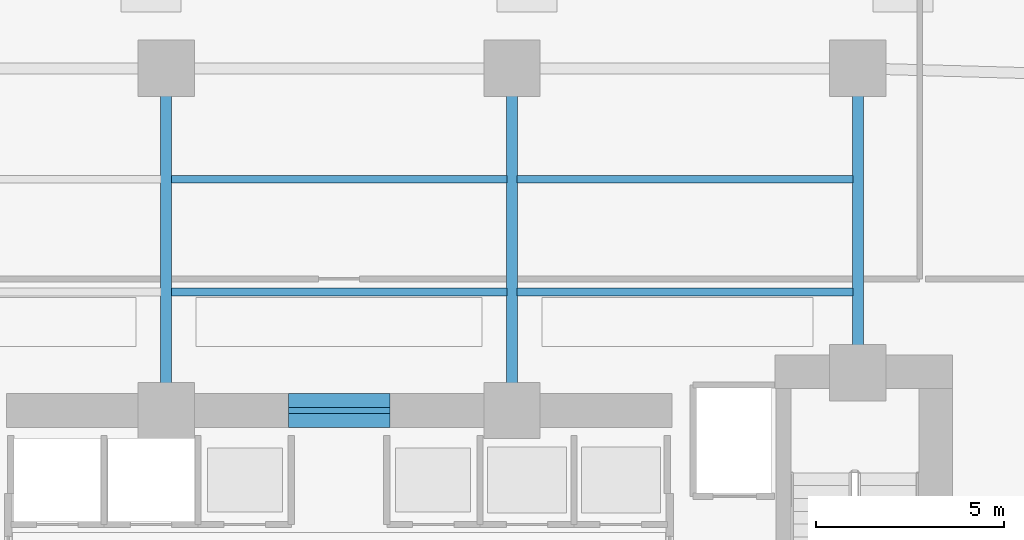
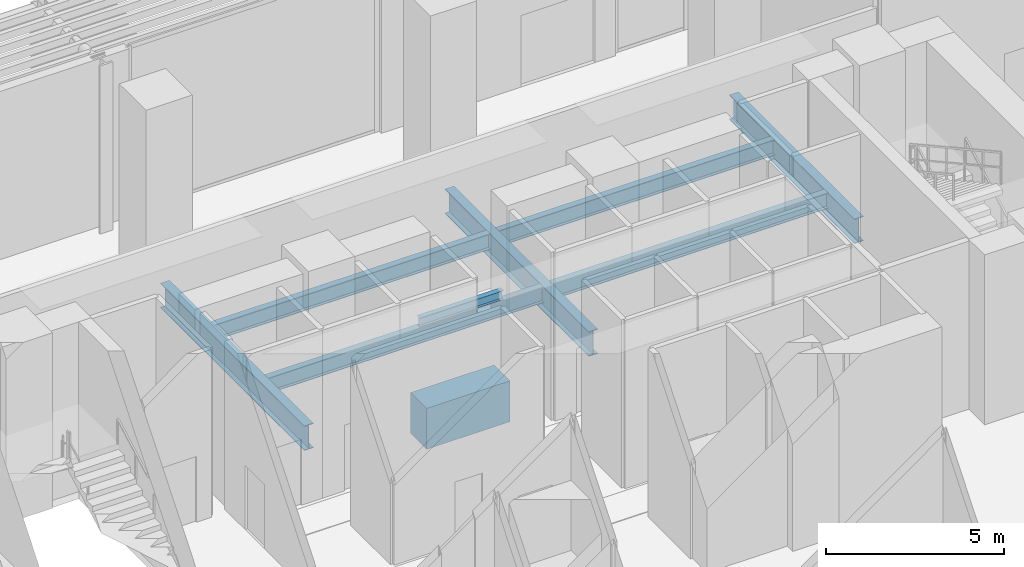
# One storey, part 17 of 39: 9 beams.
"""IFC4 building model written with IfcOpenShell, lengths in metres."""

import ifcopenshell
import ifcopenshell.guid

model = None  # the IFC model being written
_history = None  # IfcOwnerHistory: only IFC2X3 demands one
_inside = {}  # id of a spatial element -> (the spatial element, [elements in it])
_under = {}  # id of a project, library or spatial element -> (it, [spatial elements below it])
_declared = {}  # id of a project -> (the project, [libraries it declares])
_typed = {}  # id of a type object -> (the type object, [elements of that type])
_made_of = {}  # id of a material, layer set ... -> (it, [elements and type objects made of it])


def new_model(schema):
    """Start an empty IFC model of exactly this schema.

    Asked for "IFC4X3", IfcOpenShell would pick the latest addendum, in which some entities
    have other attributes; the version numbers below select the first issue.
    IFC2X3 requires an IfcOwnerHistory on every rooted entity: one is made here for all.
    """
    global model, _history
    if schema == "IFC4X3":
        model = ifcopenshell.file(schema_version=(4, 3, 0, 0))
    else:
        model = ifcopenshell.file(schema=schema)
    _inside.clear()
    _under.clear()
    _declared.clear()
    _typed.clear()
    _made_of.clear()
    _history = None
    if model.schema == "IFC2X3":
        org = make("IfcOrganization", Name="unknown")
        user = make(
            "IfcPersonAndOrganization",
            ThePerson=make("IfcPerson", FamilyName="unknown"),
            TheOrganization=org,
        )
        app = make(
            "IfcApplication",
            ApplicationDeveloper=org,
            Version="unknown",
            ApplicationFullName="unknown",
            ApplicationIdentifier="unknown",
        )
        _history = make(
            "IfcOwnerHistory",
            OwningUser=user,
            OwningApplication=app,
            ChangeAction="ADDED",
            CreationDate=0,
        )
    return model


def make(cls, **values):
    """One entity of the class cls with the attributes given. An attribute that is None is left unset."""
    return model.create_entity(
        cls, **{name: value for name, value in values.items() if value is not None}
    )


def rooted(cls, **values):
    """An entity with a GlobalId (a new one), such as an element, a storey or a relation."""
    return make(cls, GlobalId=ifcopenshell.guid.new(), OwnerHistory=_history, **values)


def si_unit(unit_type, name, prefix=None):
    """IfcSIUnit, for example si_unit("LENGTHUNIT", "METRE", prefix="MILLI")."""
    return make("IfcSIUnit", UnitType=unit_type, Prefix=prefix, Name=name)


def assignment(units):
    """IfcUnitAssignment: the units of a project."""
    return None if units is None else make("IfcUnitAssignment", Units=units)


def point(xyz):
    """IfcCartesianPoint."""
    return None if xyz is None else make("IfcCartesianPoint", Coordinates=xyz)


def direction(xyz):
    """IfcDirection."""
    return None if xyz is None else make("IfcDirection", DirectionRatios=xyz)


def frame(location, z_axis=None, x_axis=None):
    """IfcAxis2Placement3D, a coordinate frame: its origin and axes. An axis left out is left unset."""
    return make(
        "IfcAxis2Placement3D",
        Location=point(location),
        Axis=direction(z_axis),
        RefDirection=direction(x_axis),
    )


def frame_2d(location, x_axis=None):
    """IfcAxis2Placement2D, a coordinate frame in the plane: its origin and x axis."""
    return make(
        "IfcAxis2Placement2D", Location=point(location), RefDirection=direction(x_axis)
    )


def origin():
    """The frame at (0, 0, 0) with its axes left unset."""
    return frame((0.0, 0.0, 0.0))


def origin_2d():
    """The frame at (0, 0) in the plane with its x axis left unset."""
    return frame_2d((0.0, 0.0))


def place(relative_to, where):
    """IfcLocalPlacement: puts the frame where relative to a parent placement (None: the world)."""
    return make(
        "IfcLocalPlacement", PlacementRelTo=relative_to, RelativePlacement=where
    )


def context(
    kind, dimensions, precision=None, world=None, true_north=None, identifier=None
):
    """IfcGeometricRepresentationContext, for example the 3D "Model" context."""
    return make(
        "IfcGeometricRepresentationContext",
        ContextIdentifier=identifier,
        ContextType=kind,
        CoordinateSpaceDimension=dimensions,
        Precision=precision,
        WorldCoordinateSystem=world,
        TrueNorth=true_north,
    )


def subcontext(parent, identifier, kind, view, scale=None):
    """IfcGeometricRepresentationSubContext, for example "Body" below "Model"."""
    return make(
        "IfcGeometricRepresentationSubContext",
        ContextIdentifier=identifier,
        ContextType=kind,
        ParentContext=parent,
        TargetScale=scale,
        TargetView=view,
    )


def project(units=None, contexts=None):
    """IfcProject with its units and contexts."""
    return rooted(
        "IfcProject",
        Name="project",
        RepresentationContexts=contexts,
        UnitsInContext=assignment(units),
    )


def spatial(cls, under=None, at=None, **own):
    """A site, building, storey or space (cls), placed at a placement, below another one or the project."""
    s = rooted(cls, ObjectPlacement=at, **own)
    if under is not None:
        _under.setdefault(under.id(), (under, []))[1].append(s)
    return s


def profile(cls, at=None, kind="AREA", **sizes):
    """A parametric profile (cls). Its sizes go by their IFC names, for example OverallWidth=200.0."""
    return make(cls, ProfileType=kind, Position=at, **sizes)


def rectangle(**sizes):
    """IfcRectangleProfileDef."""
    return profile("IfcRectangleProfileDef", **sizes)


def i_section(**sizes):
    """IfcIShapeProfileDef."""
    return profile("IfcIShapeProfileDef", **sizes)


def extrude(swept, where, along, depth):
    """IfcExtrudedAreaSolid: the profile swept, set in the frame where, extruded along a direction by depth."""
    return make(
        "IfcExtrudedAreaSolid",
        SweptArea=swept,
        Position=where,
        ExtrudedDirection=direction(along),
        Depth=depth,
    )


def shape(context_of_items, identifier, shape_type, items):
    """IfcShapeRepresentation: the items that make up one representation, for example the "Body"."""
    return make(
        "IfcShapeRepresentation",
        ContextOfItems=context_of_items,
        RepresentationIdentifier=identifier,
        RepresentationType=shape_type,
        Items=items,
    )


def material(Name=None, Category=None):
    """IfcMaterial."""
    return make("IfcMaterial", Name=Name, Category=Category)


def material_profile(
    of_material, cross_section, Name=None, Category=None, Priority=None
):
    """IfcMaterialProfile: a cross section and its material."""
    return make(
        "IfcMaterialProfile",
        Name=Name,
        Material=of_material,
        Profile=cross_section,
        Priority=Priority,
        Category=Category,
    )


def profile_set(profiles, Name=None, composite=None):
    """IfcMaterialProfileSet."""
    return make(
        "IfcMaterialProfileSet",
        Name=Name,
        MaterialProfiles=profiles,
        CompositeProfile=composite,
    )


def made_of(thing, what):
    """Note that an element or type object is made of a material, layer set ...; save() writes the relation."""
    if what is not None:
        _made_of.setdefault(what.id(), (what, []))[1].append(thing)
    return thing


def type_object(cls, material=None, **own):
    """A type object (cls), such as IfcWallType, which elements share."""
    return made_of(rooted(cls, **own), material)


def element(
    cls,
    number,
    at=None,
    inside=None,
    cuts=None,
    type_object=None,
    material=None,
    context=None,
    identifier="Body",
    shape_type=None,
    held_by="IfcProductDefinitionShape",
    body=None,
    shapes=None,
    **own,
):
    """One element of the class cls, such as IfcWall. Its Tag is "e" and its number.

    at: its placement. inside: the storey or other place that contains it. cuts: it is an
    opening in that element (IfcRelVoidsElement). A single representation is given by context,
    identifier, shape_type and body (its items); several are given by shapes. held_by: the class
    of the entity that holds the representations. save() writes the other relations.
    """
    e = rooted(cls, Tag="e%d" % number, ObjectPlacement=at, **own)
    if body is not None:
        shapes = [shape(context, identifier, shape_type, body)]
    if shapes is not None:
        e.Representation = make(held_by, Representations=shapes)
    if inside is not None:
        _inside.setdefault(inside.id(), (inside, []))[1].append(e)
    if cuts is not None:
        rooted(
            "IfcRelVoidsElement", RelatingBuildingElement=cuts, RelatedOpeningElement=e
        )
    if type_object is not None:
        _typed.setdefault(type_object.id(), (type_object, []))[1].append(e)
    return made_of(e, material)


def aggregate(whole, parts):
    """IfcRelAggregates: a whole, such as a stair, and the parts it consists of."""
    return rooted("IfcRelAggregates", RelatingObject=whole, RelatedObjects=parts)


def save(model, path):
    """Write the relations noted so far, then the file.

    IfcRelAggregates (storeys below a building ...), IfcRelContainedInSpatialStructure (elements
    in a storey), IfcRelDefinesByType, IfcRelAssociatesMaterial and IfcRelDeclares: one each for
    every whole, place, type object, material and project.
    """
    for whole, parts in _under.values():
        aggregate(whole, parts)
    for where, things in _inside.values():
        rooted(
            "IfcRelContainedInSpatialStructure",
            RelatedElements=things,
            RelatingStructure=where,
        )
    for kind, things in _typed.values():
        rooted("IfcRelDefinesByType", RelatedObjects=things, RelatingType=kind)
    for what, things in _made_of.values():
        rooted("IfcRelAssociatesMaterial", RelatedObjects=things, RelatingMaterial=what)
    for by, libraries in _declared.values():
        rooted("IfcRelDeclares", RelatingContext=by, RelatedDefinitions=libraries)
    model.write(path)


model = new_model("IFC4")

# Units and contexts
model_context = context("Model", 3, precision=1e-05, world=origin(), true_north=direction((0.0, 1.0)))
body_context = subcontext(model_context, "Body", "Model", "MODEL_VIEW")
ifc_project = project(units=[si_unit("LENGTHUNIT", "METRE"), si_unit("AREAUNIT", "SQUARE_METRE"), si_unit("VOLUMEUNIT", "CUBIC_METRE"), si_unit("PLANEANGLEUNIT", "RADIAN"), si_unit("MASSUNIT", "GRAM", prefix="KILO")], contexts=[model_context])

# Site, building, storey
site_placement = place(None, origin())
site = spatial("IfcSite", under=ifc_project, at=site_placement, CompositionType="ELEMENT")
building_placement = place(site_placement, origin())
building = spatial("IfcBuilding", under=site, at=building_placement, Name="Zuhayl Quay Hotel", CompositionType="ELEMENT")
storey_placement = place(building_placement, origin())
storey = spatial("IfcBuildingStorey", under=building, at=storey_placement, Name="L00", CompositionType="ELEMENT", Elevation=0.0)

# Beams
ifc_material_1 = material(Name="Concrete C60/75", Category="concrete")
ifc_material_profile_1 = material_profile(ifc_material_1, rectangle(XDim=0.89990234375, YDim=1.39990234375, at=origin_2d()), Name="RC900X1400")
ifc_profile_set_1 = profile_set([ifc_material_profile_1], Name="Concrete C60/75")
beam_type_1 = type_object("IfcBeamType", Name="BM_CB1_RC900", PredefinedType="T_BEAM", material=ifc_profile_set_1)
beam_1_placement = place(storey_placement, frame((-1.35009765625, 13.35009765625, -0.9599609375), z_axis=(1.0, 0.0, 0.0), x_axis=(0.0, 1.0, 0.0)))
element("IfcBeam", 1, at=beam_1_placement, inside=storey, type_object=beam_type_1, Name="L00 Core Coupling Beam North", PredefinedType="T_BEAM", context=body_context, shape_type="SweptSolid", body=[
    extrude(rectangle(XDim=0.89990234375, YDim=1.39990234375, at=origin_2d()), origin(), (0.0, 0.0, 1.0), 2.7001953125),
])
ifc_material_2 = material(Name="Steel ASTM A992 Grade 50", Category="steel")
ifc_material_profile_2 = material_profile(ifc_material_2, i_section(OverallWidth=0.208984375, OverallDepth=0.532958984375, WebThickness=0.01025390625, FlangeThickness=0.015625, at=origin_2d()), Name="W21X62")
ifc_profile_set_2 = profile_set([ifc_material_profile_2], Name="Steel ASTM A992 Grade 50")
beam_type_2 = type_object("IfcBeamType", Name="BM_J1_W21X62", PredefinedType="JOIST", material=ifc_profile_set_2)
beam_2_placement = place(storey_placement, frame((-4.4619140625, 16.5, -0.526611328125), z_axis=(1.0, 0.0, 0.0), x_axis=(0.0, 1.0, 0.0)))
element("IfcBeam", 2, at=beam_2_placement, inside=storey, type_object=beam_type_2, Name="L00 Floor Beam J_POD_L00_4_2", PredefinedType="JOIST", context=body_context, shape_type="SweptSolid", body=[
    extrude(i_section(OverallWidth=0.208984375, OverallDepth=0.532958984375, WebThickness=0.01025390625, FlangeThickness=0.015625, at=origin_2d()), origin(), (0.0, 0.0, 1.0), 8.923828125),
])
beam_3_placement = place(storey_placement, frame((4.738037109375, 16.5, -0.526611328125), z_axis=(1.0, 0.0, 0.0), x_axis=(0.0, 1.0, 0.0)))
element("IfcBeam", 3, at=beam_3_placement, inside=storey, type_object=beam_type_2, Name="L00 Floor Beam J_POD_L00_4_3", PredefinedType="JOIST", context=body_context, shape_type="SweptSolid", body=[
    extrude(i_section(OverallWidth=0.208984375, OverallDepth=0.532958984375, WebThickness=0.01025390625, FlangeThickness=0.015625, at=origin_2d()), origin(), (0.0, 0.0, 1.0), 8.924072265625),
])
beam_4_placement = place(storey_placement, frame((-4.4619140625, 19.5, -0.526611328125), z_axis=(1.0, 0.0, 0.0), x_axis=(0.0, 1.0, 0.0)))
element("IfcBeam", 4, at=beam_4_placement, inside=storey, type_object=beam_type_2, Name="L00 Floor Beam J_POD_L00_5_2", PredefinedType="JOIST", context=body_context, shape_type="SweptSolid", body=[
    extrude(i_section(OverallWidth=0.208984375, OverallDepth=0.532958984375, WebThickness=0.01025390625, FlangeThickness=0.015625, at=origin_2d()), origin(), (0.0, 0.0, 1.0), 8.923828125),
])
beam_5_placement = place(storey_placement, frame((4.738037109375, 19.5, -0.526611328125), z_axis=(1.0, 0.0, 0.0), x_axis=(0.0, 1.0, 0.0)))
element("IfcBeam", 5, at=beam_5_placement, inside=storey, type_object=beam_type_2, Name="L00 Floor Beam J_POD_L00_5_3", PredefinedType="JOIST", context=body_context, shape_type="SweptSolid", body=[
    extrude(i_section(OverallWidth=0.208984375, OverallDepth=0.532958984375, WebThickness=0.01025390625, FlangeThickness=0.015625, at=origin_2d()), origin(), (0.0, 0.0, 1.0), 8.924072265625),
])
ifc_material_profile_3 = material_profile(ifc_material_2, i_section(OverallWidth=0.1650390625, OverallDepth=0.31005859375, WebThickness=0.005859375, FlangeThickness=0.009765625, at=origin_2d()), Name="W12X26")
ifc_profile_set_3 = profile_set([ifc_material_profile_3], Name="Steel ASTM A992 Grade 50")
beam_type_3 = type_object("IfcBeamType", Name="BM_LN1_W12X26", PredefinedType="LINTEL", material=ifc_profile_set_3)
beam_6_placement = place(storey_placement, frame((-1.35009765625, 13.35009765625, 2.449951171875), z_axis=(1.0, 0.0, 0.0), x_axis=(0.0, 1.0, 0.0)))
element("IfcBeam", 6, at=beam_6_placement, inside=storey, type_object=beam_type_3, Name="L00 Core Portal Header Steel Lintel LN1-3", PredefinedType="LINTEL", context=body_context, shape_type="SweptSolid", body=[
    extrude(i_section(OverallWidth=0.1650390625, OverallDepth=0.31005859375, WebThickness=0.005859375, FlangeThickness=0.009765625, at=origin_2d()), origin(), (0.0, 0.0, 1.0), 2.7001953125),
])
ifc_material_profile_4 = material_profile(ifc_material_2, i_section(OverallWidth=0.2919921875, OverallDepth=0.845947265625, WebThickness=0.015380859375, FlangeThickness=0.0244140625, at=origin_2d()), Name="W33X141")
ifc_profile_set_4 = profile_set([ifc_material_profile_4], Name="Steel ASTM A992 Grade 50")
beam_type_4 = type_object("IfcBeamType", Name="BM_PG3_W33X141", PredefinedType="BEAM", material=ifc_profile_set_4)
for number, where, z_axis, x_axis, name in (
    (7, (-4.60009765625, 13.8701171875, -0.68310546875), (0.0, 1.0, 0.0), (-1.0, 0.0, 0.0), "L00 Floor Beam PG_NS3_L00_2"),
    (8, (4.60009765625, 13.8701171875, -0.68310546875), (0.0, 1.0, 0.0), (-1.0, 0.0, 0.0), "L00 Floor Beam PG_NS3_L00_3"),
):
    element("IfcBeam", number, at=place(storey_placement, frame(where, z_axis=z_axis, x_axis=x_axis)), inside=storey, type_object=beam_type_4, Name=name, PredefinedType="BEAM", context=body_context, shape_type="SweptSolid", body=[
        extrude(i_section(OverallWidth=0.2919921875, OverallDepth=0.845947265625, WebThickness=0.015380859375, FlangeThickness=0.0244140625, at=origin_2d()), origin(), (0.0, 0.0, 1.0), 8.059814453125),
    ])
beam_7_placement = place(storey_placement, frame((13.800048828125, 14.919921875, -0.68310546875), z_axis=(0.0, 1.0, 0.0), x_axis=(-1.0, 0.0, 0.0)))
element("IfcBeam", 9, at=beam_7_placement, inside=storey, type_object=beam_type_4, Name="L00 Floor Beam PG_NS3_L00_4", PredefinedType="BEAM", context=body_context, shape_type="SweptSolid", body=[
    extrude(i_section(OverallWidth=0.2919921875, OverallDepth=0.845947265625, WebThickness=0.015380859375, FlangeThickness=0.0244140625, at=origin_2d()), origin(), (0.0, 0.0, 1.0), 7.010009765625),
])

save(model, "model.ifc")
